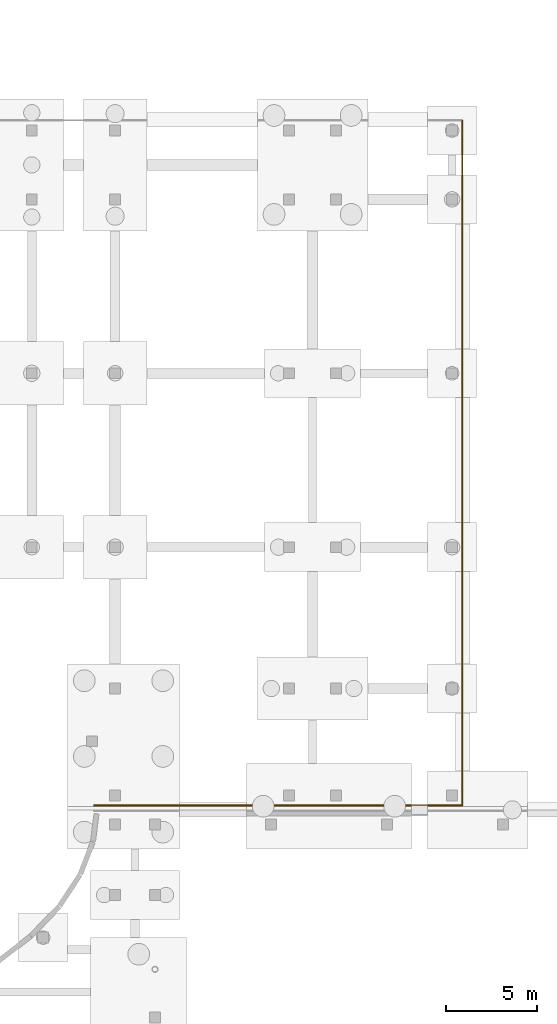
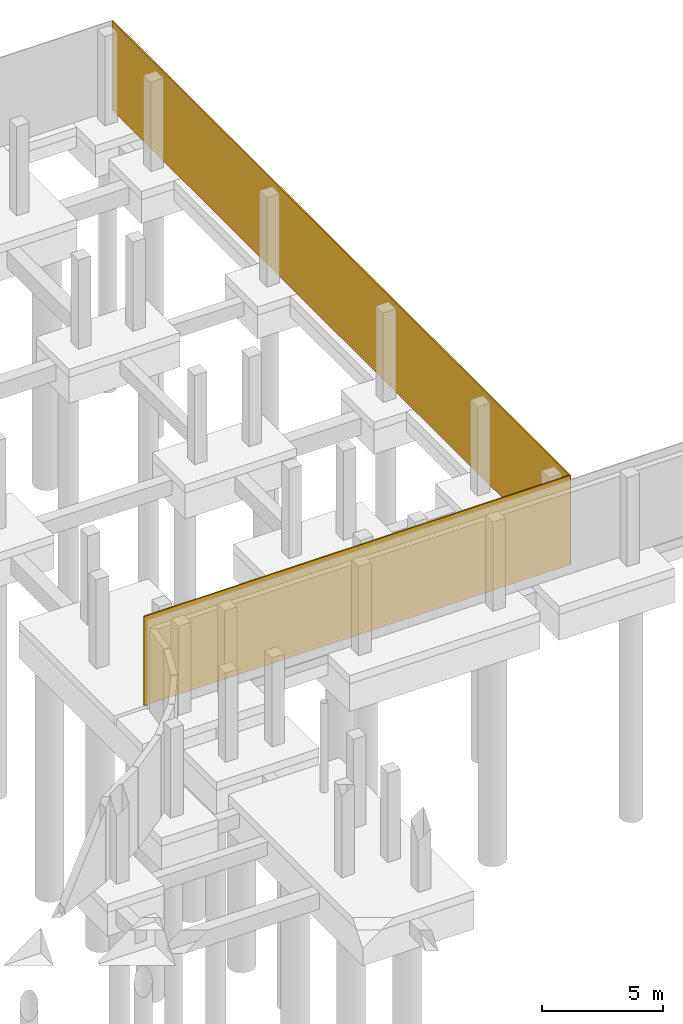
# One storey, part 37 of 40: 2 coverings.
"""IFC4 building model written with IfcOpenShell, lengths in metres."""

from ifc_helpers import new_model, si_unit, direction, frame, origin, origin_2d, place, context, subcontext, project, spatial, rectangle, extrude, material, layer, layer_set, type_object, element, save


model = new_model("IFC4")

# Units and contexts
model_context = context("Model", 3, precision=1e-05, world=origin(), true_north=direction((0.0, 1.0)))
body_context = subcontext(model_context, "Body", "Model", "MODEL_VIEW")
ifc_project = project(units=[si_unit("LENGTHUNIT", "METRE"), si_unit("AREAUNIT", "SQUARE_METRE"), si_unit("VOLUMEUNIT", "CUBIC_METRE"), si_unit("PLANEANGLEUNIT", "RADIAN"), si_unit("MASSUNIT", "GRAM", prefix="KILO")], contexts=[model_context])

# Site, building, storey
site_placement = place(None, origin())
site = spatial("IfcSite", under=ifc_project, at=site_placement, CompositionType="ELEMENT")
building_placement = place(site_placement, origin())
building = spatial("IfcBuilding", under=site, at=building_placement, Name="Mzevani Central Library", CompositionType="ELEMENT")
storey_placement = place(building_placement, frame((0.0, 0.0, -4.5)))
storey = spatial("IfcBuildingStorey", under=building, at=storey_placement, Name="B1", CompositionType="ELEMENT", Elevation=-4.5)

# Coverings
ifc_material = material(Name="Limestone ashlar cladding", Category="masonry")
ifc_layer = layer(ifc_material, 0.050048828125, Name="Limestone Ashlar Spandrel Cladding")
ifc_layer_set = layer_set([ifc_layer], Name="Limestone ashlar cladding")
covering_type = type_object("IfcCoveringType", Name="Limestone Ashlar Spandrel Cladding", PredefinedType="CLADDING", material=ifc_layer_set)
covering_1_placement = place(storey_placement, frame((131.159912109375, 95.050048828125, 0.0), z_axis=(0.0, 0.0, 1.0), x_axis=(0.0, -1.0, 0.0)))
element("IfcCovering", 1, at=covering_1_placement, inside=storey, type_object=covering_type, Name="B1 V3 Perimeter Plinth Cladding (45)", PredefinedType="CLADDING", context=body_context, shape_type="SweptSolid", body=[
    extrude(rectangle(XDim=37.820068359375, YDim=0.06005859375, at=origin_2d()), origin(), (0.0, 0.0, 1.0), 4.5),
])
covering_2_placement = place(storey_placement, frame((120.9912109375, 76.139892578125, 0.0), z_axis=(0.0, 0.0, 1.0), x_axis=(-1.0, 0.0, 0.0)))
element("IfcCovering", 2, at=covering_2_placement, inside=storey, type_object=covering_type, Name="B1 V3 Perimeter Plinth Cladding (46)", PredefinedType="CLADDING", context=body_context, shape_type="SweptSolid", body=[
    extrude(rectangle(XDim=20.33740234375, YDim=0.06005859375, at=origin_2d()), origin(), (0.0, 0.0, 1.0), 4.5),
])

save(model, "model.ifc")
